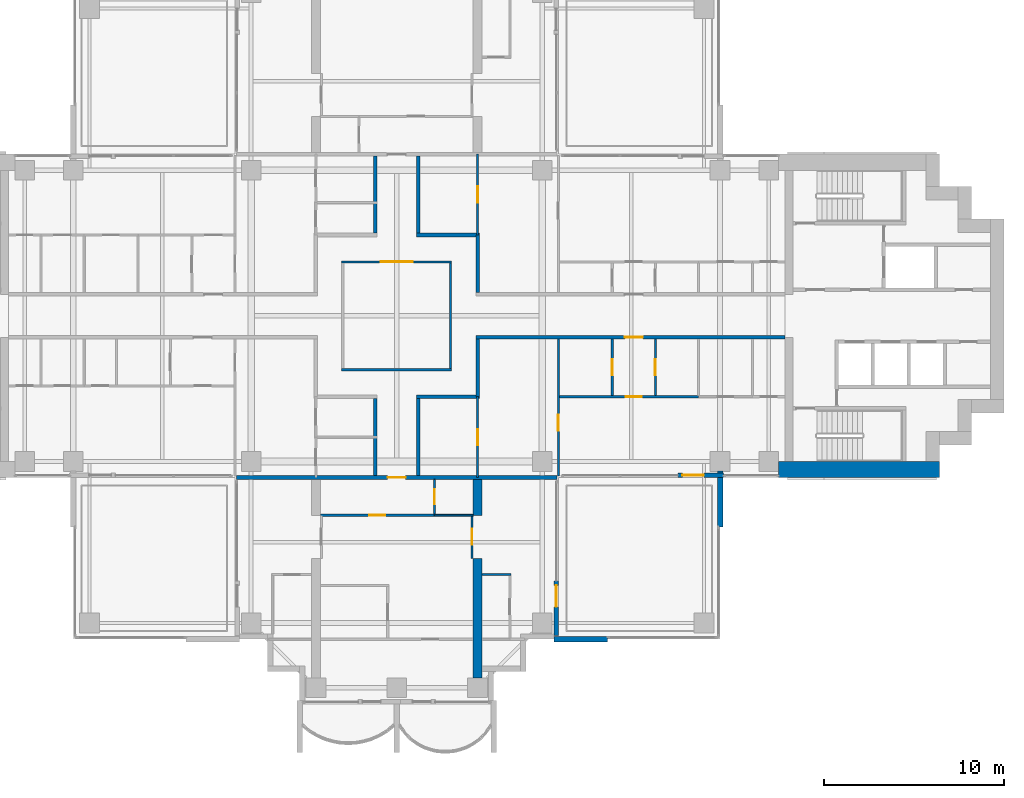
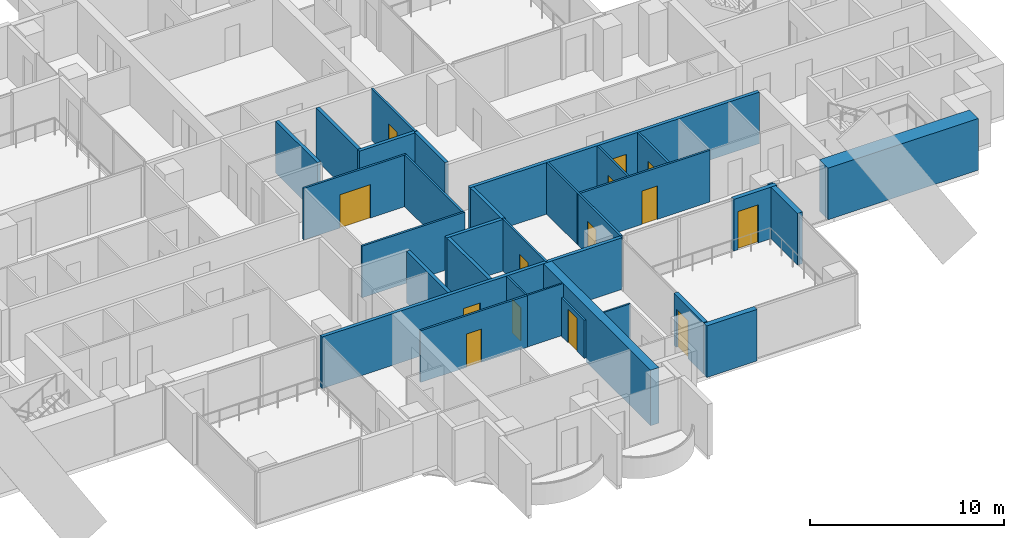
# One storey, part 11 of 19: 30 walls, 14 doors, 14 openings.
"""IFC4 building model written with IfcOpenShell, lengths in metres."""

import ifcopenshell
import ifcopenshell.guid

model = None  # the IFC model being written
_history = None  # IfcOwnerHistory: only IFC2X3 demands one
_inside = {}  # id of a spatial element -> (the spatial element, [elements in it])
_under = {}  # id of a project, library or spatial element -> (it, [spatial elements below it])
_declared = {}  # id of a project -> (the project, [libraries it declares])
_typed = {}  # id of a type object -> (the type object, [elements of that type])
_made_of = {}  # id of a material, layer set ... -> (it, [elements and type objects made of it])


def new_model(schema):
    """Start an empty IFC model of exactly this schema.

    Asked for "IFC4X3", IfcOpenShell would pick the latest addendum, in which some entities
    have other attributes; the version numbers below select the first issue.
    IFC2X3 requires an IfcOwnerHistory on every rooted entity: one is made here for all.
    """
    global model, _history
    if schema == "IFC4X3":
        model = ifcopenshell.file(schema_version=(4, 3, 0, 0))
    else:
        model = ifcopenshell.file(schema=schema)
    _inside.clear()
    _under.clear()
    _declared.clear()
    _typed.clear()
    _made_of.clear()
    _history = None
    if model.schema == "IFC2X3":
        org = make("IfcOrganization", Name="unknown")
        user = make(
            "IfcPersonAndOrganization",
            ThePerson=make("IfcPerson", FamilyName="unknown"),
            TheOrganization=org,
        )
        app = make(
            "IfcApplication",
            ApplicationDeveloper=org,
            Version="unknown",
            ApplicationFullName="unknown",
            ApplicationIdentifier="unknown",
        )
        _history = make(
            "IfcOwnerHistory",
            OwningUser=user,
            OwningApplication=app,
            ChangeAction="ADDED",
            CreationDate=0,
        )
    return model


def make(cls, **values):
    """One entity of the class cls with the attributes given. An attribute that is None is left unset."""
    return model.create_entity(
        cls, **{name: value for name, value in values.items() if value is not None}
    )


def rooted(cls, **values):
    """An entity with a GlobalId (a new one), such as an element, a storey or a relation."""
    return make(cls, GlobalId=ifcopenshell.guid.new(), OwnerHistory=_history, **values)


def si_unit(unit_type, name, prefix=None):
    """IfcSIUnit, for example si_unit("LENGTHUNIT", "METRE", prefix="MILLI")."""
    return make("IfcSIUnit", UnitType=unit_type, Prefix=prefix, Name=name)


def assignment(units):
    """IfcUnitAssignment: the units of a project."""
    return None if units is None else make("IfcUnitAssignment", Units=units)


def point(xyz):
    """IfcCartesianPoint."""
    return None if xyz is None else make("IfcCartesianPoint", Coordinates=xyz)


def direction(xyz):
    """IfcDirection."""
    return None if xyz is None else make("IfcDirection", DirectionRatios=xyz)


def frame(location, z_axis=None, x_axis=None):
    """IfcAxis2Placement3D, a coordinate frame: its origin and axes. An axis left out is left unset."""
    return make(
        "IfcAxis2Placement3D",
        Location=point(location),
        Axis=direction(z_axis),
        RefDirection=direction(x_axis),
    )


def frame_2d(location, x_axis=None):
    """IfcAxis2Placement2D, a coordinate frame in the plane: its origin and x axis."""
    return make(
        "IfcAxis2Placement2D", Location=point(location), RefDirection=direction(x_axis)
    )


def origin():
    """The frame at (0, 0, 0) with its axes left unset."""
    return frame((0.0, 0.0, 0.0))


def place(relative_to, where):
    """IfcLocalPlacement: puts the frame where relative to a parent placement (None: the world)."""
    return make(
        "IfcLocalPlacement", PlacementRelTo=relative_to, RelativePlacement=where
    )


def context(
    kind, dimensions, precision=None, world=None, true_north=None, identifier=None
):
    """IfcGeometricRepresentationContext, for example the 3D "Model" context."""
    return make(
        "IfcGeometricRepresentationContext",
        ContextIdentifier=identifier,
        ContextType=kind,
        CoordinateSpaceDimension=dimensions,
        Precision=precision,
        WorldCoordinateSystem=world,
        TrueNorth=true_north,
    )


def subcontext(parent, identifier, kind, view, scale=None):
    """IfcGeometricRepresentationSubContext, for example "Body" below "Model"."""
    return make(
        "IfcGeometricRepresentationSubContext",
        ContextIdentifier=identifier,
        ContextType=kind,
        ParentContext=parent,
        TargetScale=scale,
        TargetView=view,
    )


def project(units=None, contexts=None):
    """IfcProject with its units and contexts."""
    return rooted(
        "IfcProject",
        Name="project",
        RepresentationContexts=contexts,
        UnitsInContext=assignment(units),
    )


def spatial(cls, under=None, at=None, **own):
    """A site, building, storey or space (cls), placed at a placement, below another one or the project."""
    s = rooted(cls, ObjectPlacement=at, **own)
    if under is not None:
        _under.setdefault(under.id(), (under, []))[1].append(s)
    return s


def polyline(points):
    """IfcPolyline through the points."""
    return make("IfcPolyline", Points=[point(p) for p in points])


def profile(cls, at=None, kind="AREA", **sizes):
    """A parametric profile (cls). Its sizes go by their IFC names, for example OverallWidth=200.0."""
    return make(cls, ProfileType=kind, Position=at, **sizes)


def rectangle(**sizes):
    """IfcRectangleProfileDef."""
    return profile("IfcRectangleProfileDef", **sizes)


def outline(outer, holes=None, kind="AREA"):
    """IfcArbitraryClosedProfileDef: a profile drawn as a closed curve; with holes, ...WithVoids."""
    if holes is None:
        return make("IfcArbitraryClosedProfileDef", ProfileType=kind, OuterCurve=outer)
    return make(
        "IfcArbitraryProfileDefWithVoids",
        ProfileType=kind,
        OuterCurve=outer,
        InnerCurves=holes,
    )


def extrude(swept, where, along, depth):
    """IfcExtrudedAreaSolid: the profile swept, set in the frame where, extruded along a direction by depth."""
    return make(
        "IfcExtrudedAreaSolid",
        SweptArea=swept,
        Position=where,
        ExtrudedDirection=direction(along),
        Depth=depth,
    )


def shape(context_of_items, identifier, shape_type, items):
    """IfcShapeRepresentation: the items that make up one representation, for example the "Body"."""
    return make(
        "IfcShapeRepresentation",
        ContextOfItems=context_of_items,
        RepresentationIdentifier=identifier,
        RepresentationType=shape_type,
        Items=items,
    )


def material(Name=None, Category=None):
    """IfcMaterial."""
    return make("IfcMaterial", Name=Name, Category=Category)


def layer(
    of_material, thickness, ventilated=None, Name=None, Category=None, Priority=None
):
    """IfcMaterialLayer: one layer of a wall or slab, of a material (None: an air gap)."""
    return make(
        "IfcMaterialLayer",
        Material=of_material,
        LayerThickness=thickness,
        IsVentilated=ventilated,
        Name=Name,
        Category=Category,
        Priority=Priority,
    )


def layer_set(layers, Name=None):
    """IfcMaterialLayerSet."""
    return make("IfcMaterialLayerSet", MaterialLayers=layers, LayerSetName=Name)


def material_profile(
    of_material, cross_section, Name=None, Category=None, Priority=None
):
    """IfcMaterialProfile: a cross section and its material."""
    return make(
        "IfcMaterialProfile",
        Name=Name,
        Material=of_material,
        Profile=cross_section,
        Priority=Priority,
        Category=Category,
    )


def profile_set(profiles, Name=None, composite=None):
    """IfcMaterialProfileSet."""
    return make(
        "IfcMaterialProfileSet",
        Name=Name,
        MaterialProfiles=profiles,
        CompositeProfile=composite,
    )


def made_of(thing, what):
    """Note that an element or type object is made of a material, layer set ...; save() writes the relation."""
    if what is not None:
        _made_of.setdefault(what.id(), (what, []))[1].append(thing)
    return thing


def type_object(cls, material=None, **own):
    """A type object (cls), such as IfcWallType, which elements share."""
    return made_of(rooted(cls, **own), material)


def element(
    cls,
    number,
    at=None,
    inside=None,
    cuts=None,
    type_object=None,
    material=None,
    context=None,
    identifier="Body",
    shape_type=None,
    held_by="IfcProductDefinitionShape",
    body=None,
    shapes=None,
    **own,
):
    """One element of the class cls, such as IfcWall. Its Tag is "e" and its number.

    at: its placement. inside: the storey or other place that contains it. cuts: it is an
    opening in that element (IfcRelVoidsElement). A single representation is given by context,
    identifier, shape_type and body (its items); several are given by shapes. held_by: the class
    of the entity that holds the representations. save() writes the other relations.
    """
    e = rooted(cls, Tag="e%d" % number, ObjectPlacement=at, **own)
    if body is not None:
        shapes = [shape(context, identifier, shape_type, body)]
    if shapes is not None:
        e.Representation = make(held_by, Representations=shapes)
    if inside is not None:
        _inside.setdefault(inside.id(), (inside, []))[1].append(e)
    if cuts is not None:
        rooted(
            "IfcRelVoidsElement", RelatingBuildingElement=cuts, RelatedOpeningElement=e
        )
    if type_object is not None:
        _typed.setdefault(type_object.id(), (type_object, []))[1].append(e)
    return made_of(e, material)


def fill(opening, filler):
    """IfcRelFillsElement: the door or window that sits in an opening."""
    return rooted(
        "IfcRelFillsElement",
        RelatingOpeningElement=opening,
        RelatedBuildingElement=filler,
    )


def aggregate(whole, parts):
    """IfcRelAggregates: a whole, such as a stair, and the parts it consists of."""
    return rooted("IfcRelAggregates", RelatingObject=whole, RelatedObjects=parts)


def save(model, path):
    """Write the relations noted so far, then the file.

    IfcRelAggregates (storeys below a building ...), IfcRelContainedInSpatialStructure (elements
    in a storey), IfcRelDefinesByType, IfcRelAssociatesMaterial and IfcRelDeclares: one each for
    every whole, place, type object, material and project.
    """
    for whole, parts in _under.values():
        aggregate(whole, parts)
    for where, things in _inside.values():
        rooted(
            "IfcRelContainedInSpatialStructure",
            RelatedElements=things,
            RelatingStructure=where,
        )
    for kind, things in _typed.values():
        rooted("IfcRelDefinesByType", RelatedObjects=things, RelatingType=kind)
    for what, things in _made_of.values():
        rooted("IfcRelAssociatesMaterial", RelatedObjects=things, RelatingMaterial=what)
    for by, libraries in _declared.values():
        rooted("IfcRelDeclares", RelatingContext=by, RelatedDefinitions=libraries)
    model.write(path)


model = new_model("IFC4")

# Units and contexts
model_context = context("Model", 3, precision=1e-05, world=origin(), true_north=direction((0.0, 1.0)))
body_context = subcontext(model_context, "Body", "Model", "MODEL_VIEW")
ifc_project = project(units=[si_unit("LENGTHUNIT", "METRE"), si_unit("AREAUNIT", "SQUARE_METRE"), si_unit("VOLUMEUNIT", "CUBIC_METRE"), si_unit("PLANEANGLEUNIT", "RADIAN"), si_unit("MASSUNIT", "GRAM", prefix="KILO")], contexts=[model_context])

# Site, building, storey
site_placement = place(None, origin())
site = spatial("IfcSite", under=ifc_project, at=site_placement, CompositionType="ELEMENT")
building_placement = place(site_placement, origin())
building = spatial("IfcBuilding", under=site, at=building_placement, Name="Perihelion Cross Residences", CompositionType="ELEMENT")
storey_placement = place(building_placement, frame((0.0, 0.0, 137.39990234375)))
storey = spatial("IfcBuildingStorey", under=building, at=storey_placement, Name="L33", CompositionType="ELEMENT", Elevation=137.39990234375)

# Walls
ifc_material_1 = material(Name="Plasterboard partition")
ifc_layer_1 = layer(ifc_material_1, 0.199951171875)
ifc_layer_set_1 = layer_set([ifc_layer_1], Name="Apartment separation wall 200")
wall_type_1 = type_object("IfcWallType", Name="Apartment separation wall 200", PredefinedType="PARTITIONING", material=ifc_layer_set_1)
wall_1_placement = place(storey_placement, frame((4.5, 4.5, 0.0), z_axis=(0.0, 0.0, 1.0), x_axis=(0.0, -1.0, 0.0)))
element("IfcWall", 1, at=wall_1_placement, inside=storey, type_object=wall_type_1, Name="Partition L33 W006", PredefinedType="PARTITIONING", context=body_context, shape_type="SweptSolid", body=[
    extrude(rectangle(XDim=3.199951171875, YDim=0.199951171875, at=frame_2d((1.60009765625, 0.0))), origin(), (0.0, 0.0, 1.0), 3.25),
])
wall_2_placement = place(storey_placement, frame((1.199951171875, 8.89990234375, 0.0), z_axis=(0.0, 0.0, 1.0), x_axis=(0.0, -1.0, 0.0)))
element("IfcWall", 2, at=wall_2_placement, inside=storey, type_object=wall_type_1, Name="Partition L33 W007", PredefinedType="PARTITIONING", context=body_context, shape_type="SweptSolid", body=[
    extrude(rectangle(XDim=4.2998046875, YDim=0.199951171875, at=frame_2d((2.14990234375, 0.0))), origin(), (0.0, 0.0, 1.0), 3.25),
])
wall_3_placement = place(storey_placement, frame((1.10009765625, 4.5, 0.0), z_axis=(0.0, 0.0, 1.0), x_axis=(1.0, 0.0, 0.0)))
element("IfcWall", 3, at=wall_3_placement, inside=storey, type_object=wall_type_1, Name="Partition L33 W008", PredefinedType="PARTITIONING", context=body_context, shape_type="SweptSolid", body=[
    extrude(rectangle(XDim=3.5, YDim=0.199951171875, at=frame_2d((1.75, 0.0))), origin(), (0.0, 0.0, 1.0), 3.25),
])

# Wall, opening, door
wall_4_placement = place(storey_placement, frame((21.60009765625, -1.199951171875, 0.0), z_axis=(0.0, 0.0, 1.0), x_axis=(-1.0, 0.0, 0.0)))
wall_4 = element("IfcWall", 4, at=wall_4_placement, inside=storey, type_object=wall_type_1, Name="Partition L33 W009", PredefinedType="PARTITIONING", context=body_context, shape_type="SweptSolid", body=[
    extrude(rectangle(XDim=17.2001953125, YDim=0.199951171875, at=frame_2d((8.60009765625, 0.0))), origin(), (0.0, 0.0, 1.0), 3.25),
])
opening_1_placement = place(wall_4_placement, frame((7.89990234375, 0.0, 0.0)))
opening_1 = element("IfcOpeningElement", 5, at=opening_1_placement, cuts=wall_4, Name="Opening L33.A47", PredefinedType="OPENING", context=body_context, shape_type="SweptSolid", body=[
    extrude(rectangle(XDim=1.0, YDim=2.10009765625, at=frame_2d((0.5, 1.050048828125))), frame((0.0, 0.10986328125, 0.0), z_axis=(0.0, -1.0, 0.0), x_axis=(1.0, 0.0, 0.0)), (0.0, 0.0, 1.0), 0.219970703125),
])
ifc_material_2 = material(Name="Timber door leaf", Category="wood")
door_type_1 = type_object("IfcDoorType", Name="Flat entrance door 1000 x 2100", OperationType="SINGLE_SWING_LEFT", PredefinedType="DOOR", material=ifc_material_2)
door_1_placement = place(opening_1_placement, origin())
door_1 = element("IfcDoor", 6, at=door_1_placement, inside=storey, type_object=door_type_1, Name="Door L33.A47", OperationType="SINGLE_SWING_LEFT", OverallHeight=2.10009765625, OverallWidth=1.0, PredefinedType="DOOR", context=body_context, shape_type="SweptSolid", body=[
    extrude(rectangle(XDim=1.0, YDim=2.10009765625, at=frame_2d((0.5, 1.050048828125))), frame((0.0, 0.02490234375, 0.0), z_axis=(0.0, -1.0, 0.0), x_axis=(1.0, 0.0, 0.0)), (0.0, 0.0, 1.0), 0.050048828125),
])
fill(opening_1, door_1)

# Walls
wall_5_placement = place(storey_placement, frame((4.5, -1.300048828125, 0.0), z_axis=(0.0, 0.0, 1.0), x_axis=(0.0, -1.0, 0.0)))
element("IfcWall", 7, at=wall_5_placement, inside=storey, type_object=wall_type_1, Name="Partition L33 W010", PredefinedType="PARTITIONING", context=body_context, shape_type="SweptSolid", body=[
    extrude(rectangle(XDim=3.199951171875, YDim=0.199951171875, at=frame_2d((1.60009765625, 0.0))), origin(), (0.0, 0.0, 1.0), 3.25),
])
wall_6_placement = place(storey_placement, frame((4.60009765625, -4.5, 0.0), z_axis=(0.0, 0.0, 1.0), x_axis=(-1.0, 0.0, 0.0)))
element("IfcWall", 8, at=wall_6_placement, inside=storey, type_object=wall_type_1, Name="Partition L33 W011", PredefinedType="PARTITIONING", context=body_context, shape_type="SweptSolid", body=[
    extrude(rectangle(XDim=3.5, YDim=0.199951171875, at=frame_2d((1.75, 0.0))), origin(), (0.0, 0.0, 1.0), 3.25),
])
for number, where, z_axis, x_axis, name in (
    (9, (1.199951171875, -4.60009765625, 0.0), (0.0, 0.0, 1.0), (0.0, -1.0, 0.0), "Partition L33 W012"),
    (10, (-1.199951171875, 4.60009765625, 0.0), (0.0, 0.0, 1.0), (0.0, 1.0, 0.0), "Partition L33 W016"),
    (11, (-1.199951171875, -8.89990234375, 0.0), (0.0, 0.0, 1.0), (0.0, 1.0, 0.0), "Partition L33 W019"),
):
    element("IfcWall", number, at=place(storey_placement, frame(where, z_axis=z_axis, x_axis=x_axis)), inside=storey, type_object=wall_type_1, Name=name, PredefinedType="PARTITIONING", context=body_context, shape_type="SweptSolid", body=[
        extrude(rectangle(XDim=4.2998046875, YDim=0.199951171875, at=frame_2d((2.14990234375, 0.0))), origin(), (0.0, 0.0, 1.0), 3.25),
    ])

# Wall, opening, door
wall_7_placement = place(storey_placement, frame((8.919921875, -9.0, 0.0), z_axis=(0.0, 0.0, 1.0), x_axis=(-1.0, 0.0, 0.0)))
wall_7 = element("IfcWall", 12, at=wall_7_placement, inside=storey, type_object=wall_type_1, Name="Partition L33 W022", PredefinedType="PARTITIONING", context=body_context, shape_type="SweptSolid", body=[
    extrude(rectangle(XDim=17.83984375, YDim=0.199951171875, at=frame_2d((8.919921875, 0.0))), origin(), (0.0, 0.0, 1.0), 3.25),
])
opening_2_placement = place(wall_7_placement, frame((8.419921875, 0.0, 0.0)))
opening_2 = element("IfcOpeningElement", 13, at=opening_2_placement, cuts=wall_7, Name="Opening L33.A39", PredefinedType="OPENING", context=body_context, shape_type="SweptSolid", body=[
    extrude(rectangle(XDim=1.0, YDim=2.10009765625, at=frame_2d((0.5, 1.050048828125))), frame((0.0, 0.10986328125, 0.0), z_axis=(0.0, -1.0, 0.0), x_axis=(1.0, 0.0, 0.0)), (0.0, 0.0, 1.0), 0.219970703125),
])
door_2_placement = place(opening_2_placement, origin())
door_2 = element("IfcDoor", 14, at=door_2_placement, inside=storey, type_object=door_type_1, Name="Door L33.A39", OperationType="SINGLE_SWING_LEFT", OverallHeight=2.10009765625, OverallWidth=1.0, PredefinedType="DOOR", context=body_context, shape_type="SweptSolid", body=[
    extrude(rectangle(XDim=1.0, YDim=2.10009765625, at=frame_2d((0.5, 1.050048828125))), frame((0.0, 0.02490234375, 0.0), z_axis=(0.0, -1.0, 0.0), x_axis=(1.0, 0.0, 0.0)), (0.0, 0.0, 1.0), 0.050048828125),
])
fill(opening_2, door_2)

ifc_material_3 = material(Name="Concrete C30/37, bronze-clad", Category="concrete")
ifc_layer_2 = layer(ifc_material_3, 0.25)
ifc_layer_set_2 = layer_set([ifc_layer_2], Name="Bronze-clad pier wall 250")
wall_type_2 = type_object("IfcWallType", Name="Bronze-clad pier wall 250", PredefinedType="SOLIDWALL", material=ifc_layer_set_2)
wall_8_placement = place(storey_placement, frame((8.875, -17.800048828125, 0.0), z_axis=(0.0, 0.0, 1.0), x_axis=(0.0, 1.0, 0.0)))
wall_8 = element("IfcWall", 15, at=wall_8_placement, inside=storey, type_object=wall_type_2, Name="Wall FW1 L33 south side east bay 1 pier", PredefinedType="SOLIDWALL", context=body_context, shape_type="SweptSolid", body=[
    extrude(rectangle(XDim=3.050048828125, YDim=0.25, at=frame_2d((1.52490234375, 0.0))), origin(), (0.0, 0.0, 1.0), 3.25),
])
opening_3_placement = place(wall_8_placement, frame((1.60009765625, 0.0, 0.0)))
opening_3 = element("IfcOpeningElement", 16, at=opening_3_placement, cuts=wall_8, Name="Opening L33.E13", PredefinedType="OPENING", context=body_context, shape_type="SweptSolid", body=[
    extrude(rectangle(XDim=1.199951171875, YDim=2.39990234375, at=frame_2d((0.60009765625, 1.199951171875))), frame((0.0, 0.135009765625, 0.0), z_axis=(0.0, -1.0, 0.0), x_axis=(1.0, 0.0, 0.0)), (0.0, 0.0, 1.0), 0.27001953125),
])
ifc_material_4 = material(Name="Bronze anodised aluminium, glazed", Category="aluminium")
door_type_2 = type_object("IfcDoorType", Name="Balcony door 1200 x 2400", OperationType="NOTDEFINED", PredefinedType="DOOR", material=ifc_material_4)
door_3_placement = place(opening_3_placement, origin())
door_3 = element("IfcDoor", 17, at=door_3_placement, inside=storey, type_object=door_type_2, Name="Door L33.E13 south side east bay 1", OperationType="SINGLE_SWING_RIGHT", OverallHeight=2.39990234375, OverallWidth=1.199951171875, PredefinedType="DOOR", context=body_context, shape_type="SweptSolid", body=[
    extrude(rectangle(XDim=1.199951171875, YDim=2.39990234375, at=frame_2d((0.60009765625, 1.199951171875))), frame((0.0, 0.02490234375, 0.0), z_axis=(0.0, -1.0, 0.0), x_axis=(1.0, 0.0, 0.0)), (0.0, 0.0, 1.0), 0.050048828125),
])
fill(opening_3, door_3)

wall_9_placement = place(storey_placement, frame((15.64990234375, -8.875, 0.0), z_axis=(0.0, 0.0, 1.0), x_axis=(1.0, 0.0, 0.0)))
wall_9 = element("IfcWall", 18, at=wall_9_placement, inside=storey, type_object=wall_type_2, Name="Wall FW1 L33 east side south bay 1 pier", PredefinedType="SOLIDWALL", context=body_context, shape_type="SweptSolid", body=[
    extrude(rectangle(XDim=2.550048828125, YDim=0.25, at=frame_2d((1.27490234375, 0.0))), origin(), (0.0, 0.0, 1.0), 3.25),
])
opening_4_placement = place(wall_9_placement, frame((0.25, 0.0, 0.0)))
opening_4 = element("IfcOpeningElement", 19, at=opening_4_placement, cuts=wall_9, Name="Opening L33.E14", PredefinedType="OPENING", context=body_context, shape_type="SweptSolid", body=[
    extrude(rectangle(XDim=1.199951171875, YDim=2.39990234375, at=frame_2d((0.60009765625, 1.199951171875))), frame((0.0, 0.135009765625, 0.0), z_axis=(0.0, -1.0, 0.0), x_axis=(1.0, 0.0, 0.0)), (0.0, 0.0, 1.0), 0.27001953125),
])
door_4_placement = place(opening_4_placement, origin())
door_4 = element("IfcDoor", 20, at=door_4_placement, inside=storey, type_object=door_type_2, Name="Door L33.E14 east side south bay 1", OperationType="SINGLE_SWING_LEFT", OverallHeight=2.39990234375, OverallWidth=1.199951171875, PredefinedType="DOOR", context=body_context, shape_type="SweptSolid", body=[
    extrude(rectangle(XDim=1.199951171875, YDim=2.39990234375, at=frame_2d((0.60009765625, 1.199951171875))), frame((0.0, 0.02490234375, 0.0), z_axis=(0.0, -1.0, 0.0), x_axis=(1.0, 0.0, 0.0)), (0.0, 0.0, 1.0), 0.050048828125),
])
fill(opening_4, door_4)

# Wall
ifc_material_5 = material(Name="Concrete C60/75", Category="concrete")
ifc_layer_3 = layer(ifc_material_5, 0.89990234375)
ifc_layer_set_3 = layer_set([ifc_layer_3], Name="Core wall, outer 900")
wall_type_3 = type_object("IfcWallType", Name="Core wall, outer 900", PredefinedType="SHEAR", material=ifc_layer_set_3)
wall_10_placement = place(storey_placement, frame((21.25, -8.550048828125, 0.0), z_axis=(0.0, 0.0, 1.0), x_axis=(1.0, 0.0, 0.0)))
element("IfcWall", 21, at=wall_10_placement, inside=storey, type_object=wall_type_3, Name="East core core wall, outer", PredefinedType="SHEAR", context=body_context, shape_type="SweptSolid", body=[
    extrude(rectangle(XDim=8.949951171875, YDim=0.89990234375, at=frame_2d((4.47509765625, 0.0))), origin(), (0.0, 0.0, 1.0), 3.25),
])

# Wall, opening, door
ifc_material_6 = material(Name="Plasterboard partition")
ifc_layer_4 = layer(ifc_material_6, 0.1201171875)
ifc_layer_set_4 = layer_set([ifc_layer_4], Name="Infill panel 120")
wall_type_4 = type_object("IfcWallType", Name="Infill panel 120", PredefinedType="PARTITIONING", material=ifc_layer_set_4)
wall_11_placement = place(storey_placement, frame((4.18994140625, -11.10009765625, 0.0), z_axis=(0.0, 0.0, 1.0), x_axis=(0.0, -1.0, 0.0)))
wall_11 = element("IfcWall", 22, at=wall_11_placement, inside=storey, type_object=wall_type_4, Name="Partition L33 WI05", PredefinedType="PARTITIONING", context=body_context, shape_type="SweptSolid", body=[
    extrude(rectangle(XDim=2.39990234375, YDim=0.1201171875, at=frame_2d((1.199951171875, 0.0))), origin(), (0.0, 0.0, 1.0), 2.400146484375),
])
opening_5_placement = place(wall_11_placement, frame((0.75, 0.0, 0.0)))
opening_5 = element("IfcOpeningElement", 23, at=opening_5_placement, cuts=wall_11, Name="Opening L33.A54", PredefinedType="OPENING", context=body_context, shape_type="SweptSolid", body=[
    extrude(rectangle(XDim=0.89990234375, YDim=2.10009765625, at=frame_2d((0.449951171875, 1.050048828125))), frame((0.0, 0.070068359375, 0.0), z_axis=(0.0, -1.0, 0.0), x_axis=(1.0, 0.0, 0.0)), (0.0, 0.0, 1.0), 0.14013671875),
])
ifc_material_7 = material(Name="Timber door leaf", Category="wood")
door_type_3 = type_object("IfcDoorType", Name="Interior room door 900 x 2100", OperationType="SINGLE_SWING_LEFT", PredefinedType="DOOR", material=ifc_material_7)
door_5_placement = place(opening_5_placement, origin())
door_5 = element("IfcDoor", 24, at=door_5_placement, inside=storey, type_object=door_type_3, Name="Door L33.A54", OperationType="SINGLE_SWING_LEFT", OverallHeight=2.10009765625, OverallWidth=0.89990234375, PredefinedType="DOOR", context=body_context, shape_type="SweptSolid", body=[
    extrude(rectangle(XDim=0.89990234375, YDim=2.10009765625, at=frame_2d((0.449951171875, 1.050048828125))), frame((0.0, 0.02490234375, 0.0), z_axis=(0.0, -1.0, 0.0), x_axis=(1.0, 0.0, 0.0)), (0.0, 0.0, 1.0), 0.050048828125),
])
fill(opening_5, door_5)

# Walls
ifc_material_8 = material(Name="Plasterboard partition")
ifc_layer_5 = layer(ifc_material_8, 0.1201171875)
ifc_layer_set_5 = layer_set([ifc_layer_5], Name="Partition wall 120")
wall_type_5 = type_object("IfcWallType", Name="Partition wall 120", PredefinedType="PARTITIONING", material=ifc_layer_set_5)
wall_12_placement = place(storey_placement, frame((-3.06005859375, -3.0, 0.0), z_axis=(0.0, 0.0, 1.0), x_axis=(1.0, 0.0, 0.0)))
element("IfcWall", 25, at=wall_12_placement, inside=storey, type_object=wall_type_5, Name="Partition L33 W001", PredefinedType="PARTITIONING", context=body_context, shape_type="SweptSolid", body=[
    extrude(rectangle(XDim=6.1201171875, YDim=0.1201171875, at=frame_2d((3.06005859375, 0.0))), origin(), (0.0, 0.0, 1.0), 3.25),
])
wall_13_placement = place(storey_placement, frame((3.0, -2.93994140625, 0.0), z_axis=(0.0, 0.0, 1.0), x_axis=(0.0, 1.0, 0.0)))
element("IfcWall", 26, at=wall_13_placement, inside=storey, type_object=wall_type_5, Name="Partition L33 W002", PredefinedType="PARTITIONING", context=body_context, shape_type="SweptSolid", body=[
    extrude(rectangle(XDim=5.8798828125, YDim=0.1201171875, at=frame_2d((2.93994140625, 0.0))), origin(), (0.0, 0.0, 1.0), 3.25),
])

# Wall, opening, door
wall_14_placement = place(storey_placement, frame((3.06005859375, 3.0, 0.0), z_axis=(0.0, 0.0, 1.0), x_axis=(-1.0, 0.0, 0.0)))
wall_14 = element("IfcWall", 27, at=wall_14_placement, inside=storey, type_object=wall_type_5, Name="Partition L33 W003", PredefinedType="PARTITIONING", context=body_context, shape_type="SweptSolid", body=[
    extrude(rectangle(XDim=6.1201171875, YDim=0.1201171875, at=frame_2d((3.06005859375, 0.0))), origin(), (0.0, 0.0, 1.0), 3.25),
])
opening_6_placement = place(wall_14_placement, frame((2.159912109375, 0.0, 0.0)))
opening_6 = element("IfcOpeningElement", 28, at=opening_6_placement, cuts=wall_14, Name="Opening L33.A01", PredefinedType="OPENING", context=body_context, shape_type="SweptSolid", body=[
    extrude(rectangle(XDim=1.800048828125, YDim=2.10009765625, at=frame_2d((0.89990234375, 1.050048828125))), frame((0.0, 0.070068359375, 0.0), z_axis=(0.0, -1.0, 0.0), x_axis=(1.0, 0.0, 0.0)), (0.0, 0.0, 1.0), 0.14013671875),
])
ifc_material_9 = material(Name="Glazed timber door leaf", Category="wood")
door_type_4 = type_object("IfcDoorType", Name="Interior double leaf door 1800 x 2100", OperationType="DOUBLE_DOOR_SINGLE_SWING", PredefinedType="DOOR", material=ifc_material_9)
door_6_placement = place(opening_6_placement, origin())
door_6 = element("IfcDoor", 29, at=door_6_placement, inside=storey, type_object=door_type_4, Name="Door L33.A01", OperationType="SINGLE_SWING_LEFT", OverallHeight=2.10009765625, OverallWidth=1.800048828125, PredefinedType="DOOR", context=body_context, shape_type="SweptSolid", body=[
    extrude(rectangle(XDim=1.800048828125, YDim=2.10009765625, at=frame_2d((0.89990234375, 1.050048828125))), frame((0.0, 0.02490234375, 0.0), z_axis=(0.0, -1.0, 0.0), x_axis=(1.0, 0.0, 0.0)), (0.0, 0.0, 1.0), 0.050048828125),
])
fill(opening_6, door_6)

wall_15_placement = place(storey_placement, frame((4.5, 4.5, 0.0), z_axis=(0.0, 0.0, 1.0), x_axis=(0.0, 1.0, 0.0)))
wall_15 = element("IfcWall", 30, at=wall_15_placement, inside=storey, type_object=wall_type_5, Name="Partition L33 W031", PredefinedType="PARTITIONING", context=body_context, shape_type="SweptSolid", body=[
    extrude(rectangle(XDim=4.5, YDim=0.1201171875, at=frame_2d((2.25, 0.0))), origin(), (0.0, 0.0, 1.0), 3.25),
])
opening_7_placement = place(wall_15_placement, frame((1.800048828125, 0.0, 0.0)))
opening_7 = element("IfcOpeningElement", 31, at=opening_7_placement, cuts=wall_15, Name="Opening L33.A03", PredefinedType="OPENING", context=body_context, shape_type="SweptSolid", body=[
    extrude(rectangle(XDim=0.89990234375, YDim=2.10009765625, at=frame_2d((0.449951171875, 1.050048828125))), frame((0.0, 0.070068359375, 0.0), z_axis=(0.0, -1.0, 0.0), x_axis=(1.0, 0.0, 0.0)), (0.0, 0.0, 1.0), 0.14013671875),
])
door_7_placement = place(opening_7_placement, origin())
door_7 = element("IfcDoor", 32, at=door_7_placement, inside=storey, type_object=door_type_3, Name="Door L33.A03", OperationType="SINGLE_SWING_LEFT", OverallHeight=2.10009765625, OverallWidth=0.89990234375, PredefinedType="DOOR", context=body_context, shape_type="SweptSolid", body=[
    extrude(rectangle(XDim=0.89990234375, YDim=2.10009765625, at=frame_2d((0.449951171875, 1.050048828125))), frame((0.0, 0.02490234375, 0.0), z_axis=(0.0, -1.0, 0.0), x_axis=(1.0, 0.0, 0.0)), (0.0, 0.0, 1.0), 0.050048828125),
])
fill(opening_7, door_7)

wall_16_placement = place(storey_placement, frame((12.0, -1.300048828125, 0.0), z_axis=(0.0, 0.0, 1.0), x_axis=(0.0, -1.0, 0.0)))
wall_16 = element("IfcWall", 33, at=wall_16_placement, inside=storey, type_object=wall_type_5, Name="Partition L33 W032", PredefinedType="PARTITIONING", context=body_context, shape_type="SweptSolid", body=[
    extrude(rectangle(XDim=3.139892578125, YDim=0.1201171875, at=frame_2d((1.56982421875, 0.0))), origin(), (0.0, 0.0, 1.0), 3.25),
])
opening_8_placement = place(wall_16_placement, frame((1.1201171875, 0.0, 0.0)))
opening_8 = element("IfcOpeningElement", 34, at=opening_8_placement, cuts=wall_16, Name="Opening L33.A11", PredefinedType="OPENING", context=body_context, shape_type="SweptSolid", body=[
    extrude(rectangle(XDim=0.89990234375, YDim=2.10009765625, at=frame_2d((0.449951171875, 1.050048828125))), frame((0.0, 0.070068359375, 0.0), z_axis=(0.0, -1.0, 0.0), x_axis=(1.0, 0.0, 0.0)), (0.0, 0.0, 1.0), 0.14013671875),
])
door_8_placement = place(opening_8_placement, origin())
door_8 = element("IfcDoor", 35, at=door_8_placement, inside=storey, type_object=door_type_3, Name="Door L33.A11", OperationType="SINGLE_SWING_RIGHT", OverallHeight=2.10009765625, OverallWidth=0.89990234375, PredefinedType="DOOR", context=body_context, shape_type="SweptSolid", body=[
    extrude(rectangle(XDim=0.89990234375, YDim=2.10009765625, at=frame_2d((0.449951171875, 1.050048828125))), frame((0.0, 0.02490234375, 0.0), z_axis=(0.0, -1.0, 0.0), x_axis=(1.0, 0.0, 0.0)), (0.0, 0.0, 1.0), 0.050048828125),
])
fill(opening_8, door_8)

wall_17_placement = place(storey_placement, frame((16.800048828125, -4.5, 0.0), z_axis=(0.0, 0.0, 1.0), x_axis=(-1.0, 0.0, 0.0)))
wall_17 = element("IfcWall", 36, at=wall_17_placement, inside=storey, type_object=wall_type_5, Name="Partition L33 W033", PredefinedType="PARTITIONING", context=body_context, shape_type="SweptSolid", body=[
    extrude(rectangle(XDim=7.860107421875, YDim=0.1201171875, at=frame_2d((3.93017578125, 0.0))), origin(), (0.0, 0.0, 1.0), 3.25),
])
opening_9_placement = place(wall_17_placement, frame((3.14990234375, 0.0, 0.0)))
opening_9 = element("IfcOpeningElement", 37, at=opening_9_placement, cuts=wall_17, Name="Opening L33.A13", PredefinedType="OPENING", context=body_context, shape_type="SweptSolid", body=[
    extrude(rectangle(XDim=0.89990234375, YDim=2.10009765625, at=frame_2d((0.449951171875, 1.050048828125))), frame((0.0, 0.070068359375, 0.0), z_axis=(0.0, -1.0, 0.0), x_axis=(1.0, 0.0, 0.0)), (0.0, 0.0, 1.0), 0.14013671875),
])
door_9_placement = place(opening_9_placement, origin())
door_9 = element("IfcDoor", 38, at=door_9_placement, inside=storey, type_object=door_type_3, Name="Door L33.A13", OperationType="SINGLE_SWING_LEFT", OverallHeight=2.10009765625, OverallWidth=0.89990234375, PredefinedType="DOOR", context=body_context, shape_type="SweptSolid", body=[
    extrude(rectangle(XDim=0.89990234375, YDim=2.10009765625, at=frame_2d((0.449951171875, 1.050048828125))), frame((0.0, 0.02490234375, 0.0), z_axis=(0.0, -1.0, 0.0), x_axis=(1.0, 0.0, 0.0)), (0.0, 0.0, 1.0), 0.050048828125),
])
fill(opening_9, door_9)

wall_18_placement = place(storey_placement, frame((9.0, -8.919921875, 0.0), z_axis=(0.0, 0.0, 1.0), x_axis=(0.0, 1.0, 0.0)))
wall_18 = element("IfcWall", 39, at=wall_18_placement, inside=storey, type_object=wall_type_5, Name="Partition L33 W034", PredefinedType="PARTITIONING", context=body_context, shape_type="SweptSolid", body=[
    extrude(rectangle(XDim=7.619873046875, YDim=0.1201171875, at=frame_2d((3.81005859375, 0.0))), origin(), (0.0, 0.0, 1.0), 3.25),
])
opening_10_placement = place(wall_18_placement, frame((2.52001953125, 0.0, 0.0)))
opening_10 = element("IfcOpeningElement", 40, at=opening_10_placement, cuts=wall_18, Name="Opening L33.A14", PredefinedType="OPENING", context=body_context, shape_type="SweptSolid", body=[
    extrude(rectangle(XDim=0.89990234375, YDim=2.10009765625, at=frame_2d((0.449951171875, 1.050048828125))), frame((0.0, 0.070068359375, 0.0), z_axis=(0.0, -1.0, 0.0), x_axis=(1.0, 0.0, 0.0)), (0.0, 0.0, 1.0), 0.14013671875),
])
door_10_placement = place(opening_10_placement, origin())
door_10 = element("IfcDoor", 41, at=door_10_placement, inside=storey, type_object=door_type_3, Name="Door L33.A14", OperationType="SINGLE_SWING_RIGHT", OverallHeight=2.10009765625, OverallWidth=0.89990234375, PredefinedType="DOOR", context=body_context, shape_type="SweptSolid", body=[
    extrude(rectangle(XDim=0.89990234375, YDim=2.10009765625, at=frame_2d((0.449951171875, 1.050048828125))), frame((0.0, 0.02490234375, 0.0), z_axis=(0.0, -1.0, 0.0), x_axis=(1.0, 0.0, 0.0)), (0.0, 0.0, 1.0), 0.050048828125),
])
fill(opening_10, door_10)

wall_19_placement = place(storey_placement, frame((14.39990234375, -1.300048828125, 0.0), z_axis=(0.0, 0.0, 1.0), x_axis=(0.0, -1.0, 0.0)))
wall_19 = element("IfcWall", 42, at=wall_19_placement, inside=storey, type_object=wall_type_5, Name="Partition L33 W035", PredefinedType="PARTITIONING", context=body_context, shape_type="SweptSolid", body=[
    extrude(rectangle(XDim=3.139892578125, YDim=0.1201171875, at=frame_2d((1.56982421875, 0.0))), origin(), (0.0, 0.0, 1.0), 3.25),
])
opening_11_placement = place(wall_19_placement, frame((1.1201171875, 0.0, 0.0)))
opening_11 = element("IfcOpeningElement", 43, at=opening_11_placement, cuts=wall_19, Name="Opening L33.A15", PredefinedType="OPENING", context=body_context, shape_type="SweptSolid", body=[
    extrude(rectangle(XDim=0.89990234375, YDim=2.10009765625, at=frame_2d((0.449951171875, 1.050048828125))), frame((0.0, 0.070068359375, 0.0), z_axis=(0.0, -1.0, 0.0), x_axis=(1.0, 0.0, 0.0)), (0.0, 0.0, 1.0), 0.14013671875),
])
door_11_placement = place(opening_11_placement, origin())
door_11 = element("IfcDoor", 44, at=door_11_placement, inside=storey, type_object=door_type_3, Name="Door L33.A15", OperationType="SINGLE_SWING_LEFT", OverallHeight=2.10009765625, OverallWidth=0.89990234375, PredefinedType="DOOR", context=body_context, shape_type="SweptSolid", body=[
    extrude(rectangle(XDim=0.89990234375, YDim=2.10009765625, at=frame_2d((0.449951171875, 1.050048828125))), frame((0.0, 0.02490234375, 0.0), z_axis=(0.0, -1.0, 0.0), x_axis=(1.0, 0.0, 0.0)), (0.0, 0.0, 1.0), 0.050048828125),
])
fill(opening_11, door_11)

wall_20_placement = place(storey_placement, frame((4.5, -9.0, 0.0), z_axis=(0.0, 0.0, 1.0), x_axis=(0.0, 1.0, 0.0)))
wall_20 = element("IfcWall", 45, at=wall_20_placement, inside=storey, type_object=wall_type_5, Name="Partition L33 W040", PredefinedType="PARTITIONING", context=body_context, shape_type="SweptSolid", body=[
    extrude(rectangle(XDim=4.5, YDim=0.1201171875, at=frame_2d((2.25, 0.0))), origin(), (0.0, 0.0, 1.0), 3.25),
])
opening_12_placement = place(wall_20_placement, frame((1.800048828125, 0.0, 0.0)))
opening_12 = element("IfcOpeningElement", 46, at=opening_12_placement, cuts=wall_20, Name="Opening L33.A10", PredefinedType="OPENING", context=body_context, shape_type="SweptSolid", body=[
    extrude(rectangle(XDim=0.89990234375, YDim=2.10009765625, at=frame_2d((0.449951171875, 1.050048828125))), frame((0.0, 0.070068359375, 0.0), z_axis=(0.0, -1.0, 0.0), x_axis=(1.0, 0.0, 0.0)), (0.0, 0.0, 1.0), 0.14013671875),
])
door_12_placement = place(opening_12_placement, origin())
door_12 = element("IfcDoor", 47, at=door_12_placement, inside=storey, type_object=door_type_3, Name="Door L33.A10", OperationType="SINGLE_SWING_LEFT", OverallHeight=2.10009765625, OverallWidth=0.89990234375, PredefinedType="DOOR", context=body_context, shape_type="SweptSolid", body=[
    extrude(rectangle(XDim=0.89990234375, YDim=2.10009765625, at=frame_2d((0.449951171875, 1.050048828125))), frame((0.0, 0.02490234375, 0.0), z_axis=(0.0, -1.0, 0.0), x_axis=(1.0, 0.0, 0.0)), (0.0, 0.0, 1.0), 0.050048828125),
])
fill(opening_12, door_12)

wall_21_placement = place(storey_placement, frame((2.10009765625, -11.10009765625, 0.0), z_axis=(0.0, 0.0, 1.0), x_axis=(-1.0, 0.0, 0.0)))
wall_21 = element("IfcWall", 48, at=wall_21_placement, inside=storey, type_object=wall_type_5, Name="Partition L33 W078", PredefinedType="PARTITIONING", context=body_context, shape_type="SweptSolid", body=[
    extrude(rectangle(XDim=6.35009765625, YDim=0.1201171875, at=frame_2d((3.175048828125, 0.0))), origin(), (0.0, 0.0, 1.0), 3.25),
])
opening_13_placement = place(wall_21_placement, frame((2.72509765625, 0.0, 0.0)))
opening_13 = element("IfcOpeningElement", 49, at=opening_13_placement, cuts=wall_21, Name="Opening L33.A41", PredefinedType="OPENING", context=body_context, shape_type="SweptSolid", body=[
    extrude(rectangle(XDim=0.89990234375, YDim=2.10009765625, at=frame_2d((0.449951171875, 1.050048828125))), frame((0.0, 0.070068359375, 0.0), z_axis=(0.0, -1.0, 0.0), x_axis=(1.0, 0.0, 0.0)), (0.0, 0.0, 1.0), 0.14013671875),
])
door_13_placement = place(opening_13_placement, origin())
door_13 = element("IfcDoor", 50, at=door_13_placement, inside=storey, type_object=door_type_3, Name="Door L33.A41", OperationType="SINGLE_SWING_LEFT", OverallHeight=2.10009765625, OverallWidth=0.89990234375, PredefinedType="DOOR", context=body_context, shape_type="SweptSolid", body=[
    extrude(rectangle(XDim=0.89990234375, YDim=2.10009765625, at=frame_2d((0.449951171875, 1.050048828125))), frame((0.0, 0.02490234375, 0.0), z_axis=(0.0, -1.0, 0.0), x_axis=(1.0, 0.0, 0.0)), (0.0, 0.0, 1.0), 0.050048828125),
])
fill(opening_13, door_13)

# Walls
ifc_material_10 = material(Name="Precast concrete C50/60", Category="concrete")
ifc_layer_6 = layer(ifc_material_10, 0.300048828125)
ifc_layer_set_6 = layer_set([ifc_layer_6], Name="Precast concrete C50/60 blade wall 300")
wall_type_6 = type_object("IfcWallType", Name="Precast concrete C50/60 blade wall 300", PredefinedType="SOLIDWALL", material=ifc_layer_set_6)
wall_22_placement = place(storey_placement, frame((8.75, -18.0, 0.0), z_axis=(0.0, 0.0, 1.0), x_axis=(1.0, 0.0, 0.0)))
element("IfcWall", 51, at=wall_22_placement, inside=storey, type_object=wall_type_6, Name="Wall BL1 L33 no. 14", PredefinedType="SOLIDWALL", context=body_context, shape_type="SweptSolid", body=[
    extrude(rectangle(XDim=2.989990234375, YDim=0.300048828125, at=frame_2d((1.4951171875, 0.0))), origin(), (0.0, 0.0, 1.0), 3.25),
])
wall_23_placement = place(storey_placement, frame((18.0, -8.64990234375, 0.0), z_axis=(0.0, 0.0, 1.0), x_axis=(0.0, -1.0, 0.0)))
element("IfcWall", 52, at=wall_23_placement, inside=storey, type_object=wall_type_6, Name="Wall BL1 L33 no. 10", PredefinedType="SOLIDWALL", context=body_context, shape_type="SweptSolid", body=[
    extrude(rectangle(XDim=3.090087890625, YDim=0.300048828125, at=frame_2d((1.544921875, 0.0))), origin(), (0.0, 0.0, 1.0), 3.25),
])
ifc_material_11 = material(Name="Concrete C60/75", Category="concrete")
ifc_material_profile = material_profile(ifc_material_11, outline(polyline([(0.0, 0.0), (6.64990234375, 0.0), (6.64990234375, 2.64990234375), (9.050048828125, 2.64990234375), (9.050048828125, 0.0), (11.14990234375, 0.0), (11.14990234375, 3.5), (0.0, 3.5), (0.0, 0.0)])), Name="Tip spine wall")
ifc_profile_set = profile_set([ifc_material_profile], Name="Concrete C60/75")
wall_type_7 = type_object("IfcWallType", Name="Tip spine wall 500 with 1 door openings 11150 long 3500 high concrete C60/75", PredefinedType="SHEAR", material=ifc_profile_set)
wall_24_placement = place(storey_placement, frame((4.25, -20.14990234375, -0.25), z_axis=(1.0, 0.0, 0.0), x_axis=(0.0, 1.0, 0.0)))
element("IfcWall", 53, at=wall_24_placement, inside=storey, type_object=wall_type_7, Name="Shear wall SW33 L33 south east", PredefinedType="SHEAR", context=body_context, shape_type="SweptSolid", body=[
    extrude(outline(polyline([(0.0, 0.0), (6.64990234375, 0.0), (6.64990234375, 2.64990234375), (9.050048828125, 2.64990234375), (9.050048828125, 0.0), (11.14990234375, 0.0), (11.14990234375, 3.5), (0.0, 3.5), (0.0, 0.0)])), origin(), (0.0, 0.0, 1.0), 0.5),
])

# Wall, opening, door
ifc_material_12 = material(Name="Plasterboard partition")
ifc_layer_7 = layer(ifc_material_12, 0.10009765625)
ifc_layer_set_7 = layer_set([ifc_layer_7], Name="Wet room wall 100")
wall_type_8 = type_object("IfcWallType", Name="Wet room wall 100", PredefinedType="PARTITIONING", material=ifc_layer_set_7)
wall_25_placement = place(storey_placement, frame((2.10009765625, -9.10009765625, 0.0), z_axis=(0.0, 0.0, 1.0), x_axis=(0.0, -1.0, 0.0)))
wall_25 = element("IfcWall", 54, at=wall_25_placement, inside=storey, type_object=wall_type_8, Name="Partition L33 W077", PredefinedType="PARTITIONING", context=body_context, shape_type="SweptSolid", body=[
    extrude(rectangle(XDim=1.93994140625, YDim=0.10009765625, at=frame_2d((0.969970703125, 0.0))), origin(), (0.0, 0.0, 1.0), 3.25),
])
opening_14_placement = place(wall_25_placement, frame((0.544921875, 0.0, 0.0)))
opening_14 = element("IfcOpeningElement", 55, at=opening_14_placement, cuts=wall_25, Name="Opening L33.A40", PredefinedType="OPENING", context=body_context, shape_type="SweptSolid", body=[
    extrude(rectangle(XDim=0.85009765625, YDim=2.10009765625, at=frame_2d((0.425048828125, 1.050048828125))), frame((0.0, 0.06005859375, 0.0), z_axis=(0.0, -1.0, 0.0), x_axis=(1.0, 0.0, 0.0)), (0.0, 0.0, 1.0), 0.1201171875),
])
ifc_material_13 = material(Name="Timber door leaf", Category="wood")
door_type_5 = type_object("IfcDoorType", Name="Interior bathroom door 850 x 2100", OperationType="SINGLE_SWING_LEFT", PredefinedType="DOOR", material=ifc_material_13)
door_14_placement = place(opening_14_placement, origin())
door_14 = element("IfcDoor", 56, at=door_14_placement, inside=storey, type_object=door_type_5, Name="Door L33.A40", OperationType="SINGLE_SWING_RIGHT", OverallHeight=2.10009765625, OverallWidth=0.85009765625, PredefinedType="DOOR", context=body_context, shape_type="SweptSolid", body=[
    extrude(rectangle(XDim=0.85009765625, YDim=2.10009765625, at=frame_2d((0.425048828125, 1.050048828125))), frame((0.0, 0.02490234375, 0.0), z_axis=(0.0, -1.0, 0.0), x_axis=(1.0, 0.0, 0.0)), (0.0, 0.0, 1.0), 0.050048828125),
])
fill(opening_14, door_14)

# Walls
wall_26_placement = place(storey_placement, frame((4.25, -11.10009765625, 0.0), z_axis=(0.0, 0.0, 1.0), x_axis=(-1.0, 0.0, 0.0)))
element("IfcWall", 57, at=wall_26_placement, inside=storey, type_object=wall_type_8, Name="Partition L33 W079", PredefinedType="PARTITIONING", context=body_context, shape_type="SweptSolid", body=[
    extrude(rectangle(XDim=2.14990234375, YDim=0.10009765625, at=frame_2d((1.074951171875, 0.0))), origin(), (0.0, 0.0, 1.0), 3.25),
])
wall_27_placement = place(storey_placement, frame((6.35009765625, -14.39990234375, 0.0), z_axis=(0.0, 0.0, 1.0), x_axis=(-1.0, 0.0, 0.0)))
element("IfcWall", 58, at=wall_27_placement, inside=storey, type_object=wall_type_8, Name="Partition L33 W084", PredefinedType="PARTITIONING", context=body_context, shape_type="SweptSolid", body=[
    extrude(rectangle(XDim=1.60009765625, YDim=0.10009765625, at=frame_2d((0.800048828125, 0.0))), origin(), (0.0, 0.0, 1.0), 3.25),
])

save(model, "model.ifc")
